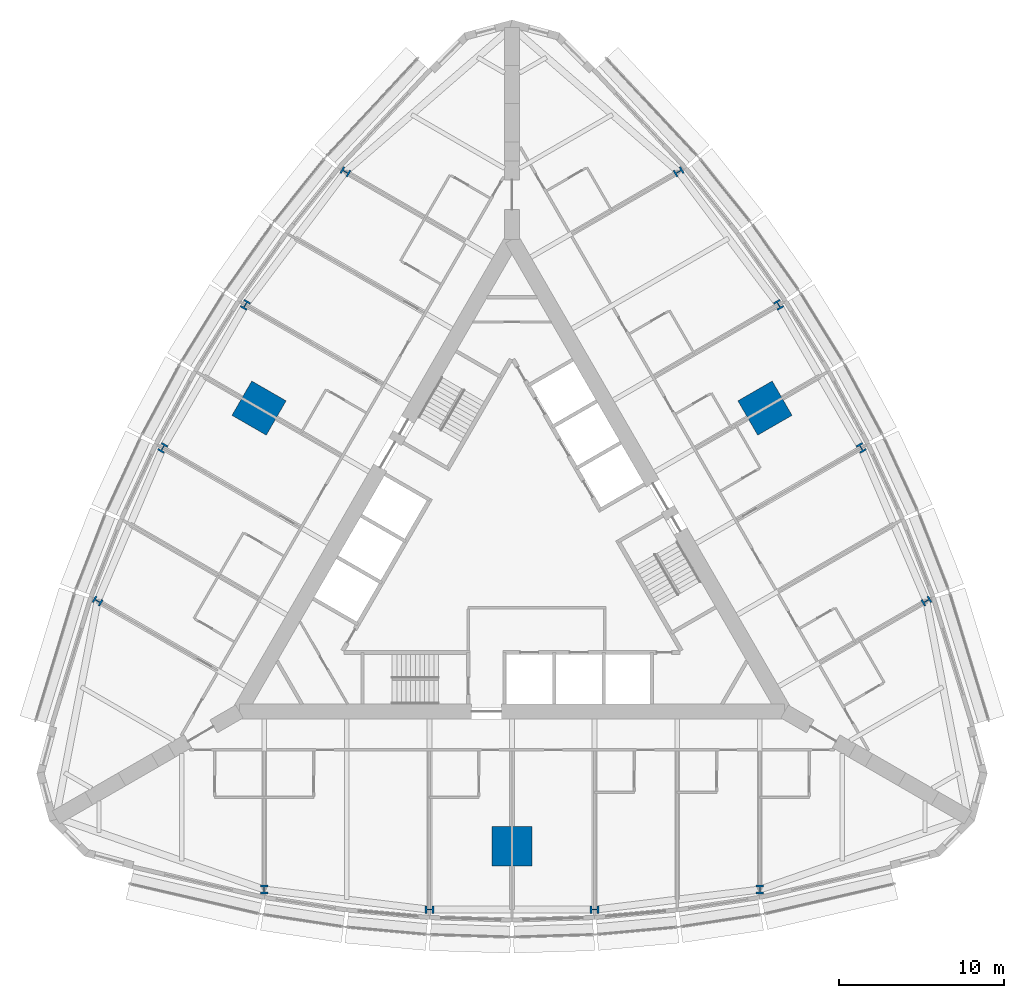
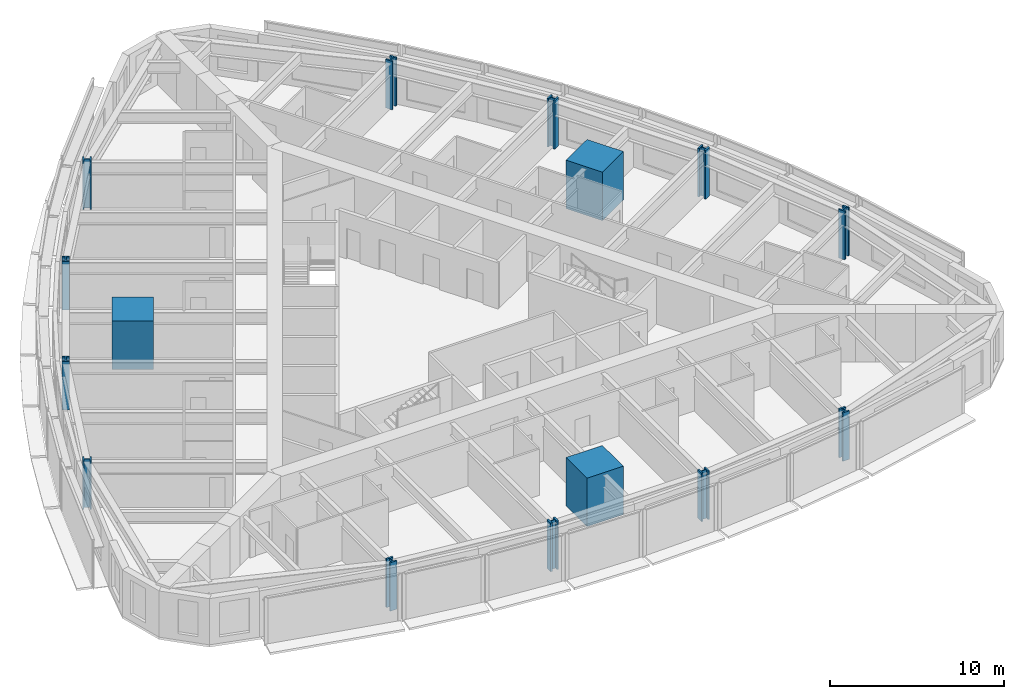
# One storey, part 1 of 14: 15 columns.
"""IFC4 building model written with IfcOpenShell, lengths in metres."""

from ifc_helpers import new_model, si_unit, direction, frame, origin, origin_2d, place, context, subcontext, project, spatial, rectangle, i_section, extrude, material, material_profile, profile_set, type_object, element, save


model = new_model("IFC4")

# Units and contexts
model_context = context("Model", 3, precision=1e-05, world=origin(), true_north=direction((0.0, 1.0)))
body_context = subcontext(model_context, "Body", "Model", "MODEL_VIEW")
ifc_project = project(units=[si_unit("LENGTHUNIT", "METRE"), si_unit("AREAUNIT", "SQUARE_METRE"), si_unit("VOLUMEUNIT", "CUBIC_METRE"), si_unit("PLANEANGLEUNIT", "RADIAN"), si_unit("MASSUNIT", "GRAM", prefix="KILO")], contexts=[model_context])

# Site, building, storey
site_placement = place(None, origin())
site = spatial("IfcSite", under=ifc_project, at=site_placement, CompositionType="ELEMENT")
building_placement = place(site_placement, origin())
building = spatial("IfcBuilding", under=site, at=building_placement, Name="Trikona Tower", CompositionType="ELEMENT")
storey_placement = place(building_placement, frame((0.0, 0.0, 79.5)))
storey = spatial("IfcBuildingStorey", under=building, at=storey_placement, Name="L20", CompositionType="ELEMENT", Elevation=79.5)

# Columns
ifc_material_1 = material(Name="Concrete f'c 10000 psi with encased steel section", Category="concrete")
ifc_material_profile_1 = material_profile(ifc_material_1, rectangle(XDim=2.39990234375, YDim=2.39990234375, at=origin_2d()), Name="MC2400")
ifc_profile_set_1 = profile_set([ifc_material_profile_1], Name="Concrete f'c 10000 psi with encased steel section")
column_type_1 = type_object("IfcColumnType", Name="Composite mega column 2400x2400", PredefinedType="COLUMN", material=ifc_profile_set_1)
for number, where, z_axis, x_axis, name in (
    (1, (0.0, -17.680419921875, 0.0), (0.0, 0.0, 1.0), (0.0, -1.0, 0.0), "Mega column MC1"),
    (2, (15.311767578125, 8.84033203125, 0.0), (0.0, 0.0, 1.0), (0.866025403784, 0.5, 0.0), "Mega column MC2"),
    (3, (-15.311767578125, 8.84033203125, 0.0), (0.0, 0.0, 1.0), (-0.866025403784, 0.5, 0.0), "Mega column MC3"),
):
    element("IfcColumn", number, at=place(storey_placement, frame(where, z_axis=z_axis, x_axis=x_axis)), inside=storey, type_object=column_type_1, Name=name, PredefinedType="COLUMN", context=body_context, shape_type="SweptSolid", body=[
        extrude(rectangle(XDim=2.39990234375, YDim=2.39990234375, at=origin_2d()), origin(), (0.0, 0.0, 1.0), 3.39990234375),
    ])
ifc_material_2 = material(Name="Steel ASTM A992 Grade 50", Category="steel")
ifc_material_profile_2 = material_profile(ifc_material_2, i_section(OverallWidth=0.44189453125, OverallDepth=0.53076171875, WebThickness=0.06591796875, FlangeThickness=0.105712890625, at=origin_2d()), Name="W14X605")
ifc_profile_set_2 = profile_set([ifc_material_profile_2], Name="Steel ASTM A992 Grade 50")
column_type_2 = type_object("IfcColumnType", Name="Steel column W14x605", PredefinedType="COLUMN", material=ifc_profile_set_2)
for number, where, z_axis, x_axis, name in (
    (4, (-15.0, -20.302978515625, 0.0), (0.0, 0.0, 1.0), (1.0, 0.0, 0.0), "Column F0m15"),
    (5, (-5.0, -21.5205078125, 0.0), (0.0, 0.0, 1.0), (0.0, -1.0, 0.0), "Column F0m5"),
    (6, (5.0, -21.5205078125, 0.0), (0.0, 0.0, 1.0), (0.0, -1.0, 0.0), "Column F0p5"),
    (7, (15.0, -20.302978515625, 0.0), (0.0, 0.0, 1.0), (1.0, 0.0, 0.0), "Column F0p15"),
    (8, (25.0830078125, -2.8388671875, 0.0), (0.0, 0.0, 1.0), (-0.5, 0.866025403784, 0.0), "Column F1m15"),
    (9, (21.13720703125, 6.43017578125, 0.0), (0.0, 0.0, 1.0), (0.866025403784, 0.5, 0.0), "Column F1m5"),
    (10, (16.13720703125, 15.09033203125, 0.0), (0.0, 0.0, 1.0), (0.866025403784, 0.5, 0.0), "Column F1p5"),
    (11, (10.0830078125, 23.141845703125, 0.0), (0.0, 0.0, 1.0), (-0.5, 0.866025403784, 0.0), "Column F1p15"),
    (12, (-10.0830078125, 23.141845703125, 0.0), (0.0, 0.0, 1.0), (-0.5, -0.866025403784, 0.0), "Column F2m15"),
    (13, (-16.13720703125, 15.09033203125, 0.0), (0.0, 0.0, 1.0), (-0.866025403784, 0.5, 0.0), "Column F2m5"),
    (14, (-21.13720703125, 6.43017578125, 0.0), (0.0, 0.0, 1.0), (-0.866025403784, 0.5, 0.0), "Column F2p5"),
    (15, (-25.0830078125, -2.8388671875, 0.0), (0.0, 0.0, 1.0), (-0.5, -0.866025403784, 0.0), "Column F2p15"),
):
    element("IfcColumn", number, at=place(storey_placement, frame(where, z_axis=z_axis, x_axis=x_axis)), inside=storey, type_object=column_type_2, Name=name, PredefinedType="COLUMN", context=body_context, shape_type="SweptSolid", body=[
        extrude(i_section(OverallWidth=0.44189453125, OverallDepth=0.53076171875, WebThickness=0.06591796875, FlangeThickness=0.105712890625, at=origin_2d()), origin(), (0.0, 0.0, 1.0), 3.39990234375),
    ])

save(model, "model.ifc")
